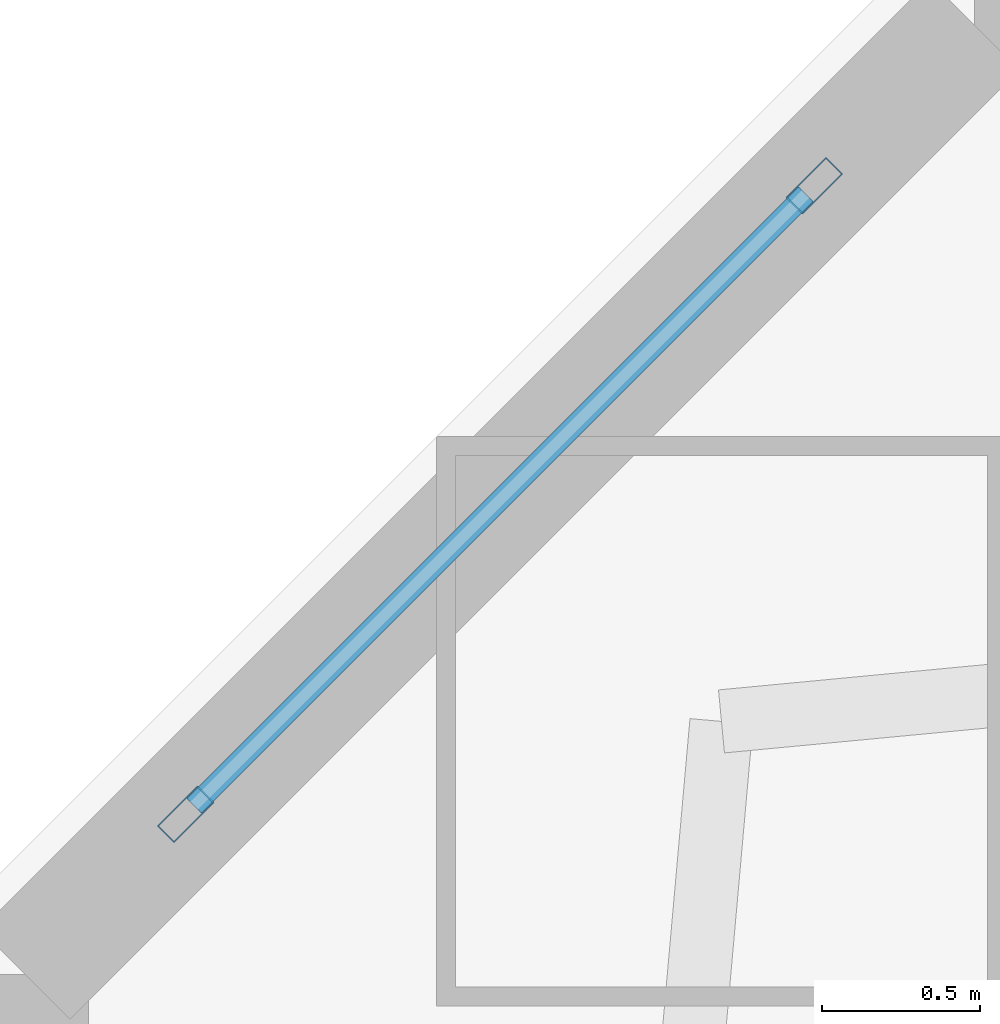
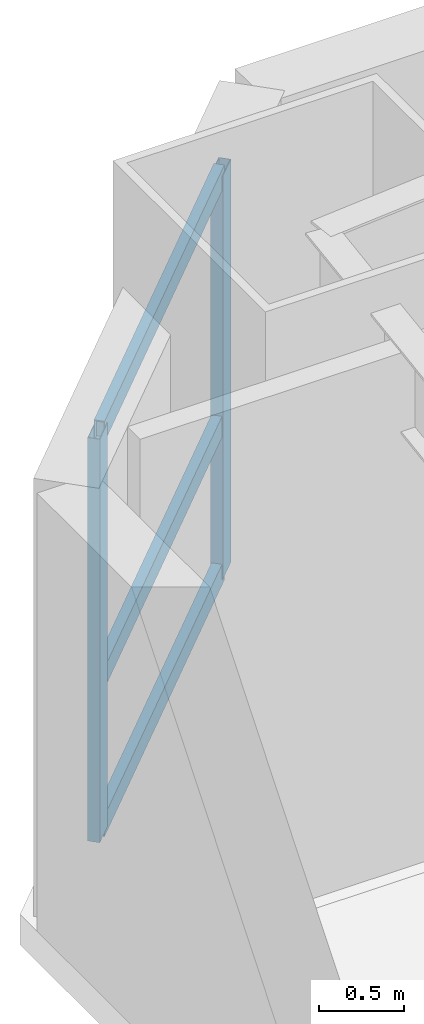
# One storey, part 4 of 24: 5 members, 1 element without a shape of its own.
"""IFC4 building model written with IfcOpenShell, lengths in metres."""

from ifc_helpers import new_model, si_unit, direction, frame, origin, origin_2d, place, context, subcontext, project, spatial, hollow_rectangle, extrude, material, layer, layer_set, material_profile, profile_set, type_object, element, aggregate, save


model = new_model("IFC4")

# Units and contexts
model_context = context("Model", 3, precision=1e-05, world=origin(), true_north=direction((0.0, 1.0)))
body_context = subcontext(model_context, "Body", "Model", "MODEL_VIEW")
ifc_project = project(units=[si_unit("LENGTHUNIT", "METRE"), si_unit("AREAUNIT", "SQUARE_METRE"), si_unit("VOLUMEUNIT", "CUBIC_METRE"), si_unit("PLANEANGLEUNIT", "RADIAN"), si_unit("MASSUNIT", "GRAM", prefix="KILO")], contexts=[model_context])

# Site, building, storey
site_placement = place(None, origin())
site = spatial("IfcSite", under=ifc_project, at=site_placement, CompositionType="ELEMENT")
building_placement = place(site_placement, origin())
building = spatial("IfcBuilding", under=site, at=building_placement, Name="Qiaolan Cultural Towers", CompositionType="ELEMENT")
storey_placement = place(building_placement, frame((0.0, 0.0, 30.0)))
storey = spatial("IfcBuildingStorey", under=building, at=storey_placement, Name="L06", CompositionType="ELEMENT", Elevation=30.0)

# Curtain wall, members
ifc_material_1 = material(Name="Unitized Anodized Aluminium Curtain Wall System", Category="aluminium")
ifc_layer = layer(ifc_material_1, 0.199951171875)
ifc_layer_set = layer_set([ifc_layer], Name="Unitized Anodized Aluminium Curtain Wall System")
curtain_wall_type = type_object("IfcCurtainWallType", Name="CWS-02", PredefinedType="NOTDEFINED", material=ifc_layer_set)
curtain_wall_placement = place(storey_placement, origin())
curtain_wall = element("IfcCurtainWall", 1, at=curtain_wall_placement, inside=storey, type_object=curtain_wall_type, Name="L06 T1 Chamfer Wind-Corner Feature Curtain Wall 1", PredefinedType="NOTDEFINED")
ifc_material_2 = material(Name="Extruded Aluminium 6063-T6", Category="aluminium")
ifc_material_profile_1 = material_profile(ifc_material_2, hollow_rectangle(XDim=0.074951171875, YDim=0.179931640625, WallThickness=0.00390625, at=origin_2d()), Name="CWM-180x75x4")
ifc_profile_set_1 = profile_set([ifc_material_profile_1], Name="Extruded Aluminium 6063-T6")
member_type_1 = type_object("IfcMemberType", Name="CWS-02-MUL", PredefinedType="MULLION", material=ifc_profile_set_1)
member_1_placement = place(storey_placement, frame((10.906494140625, 61.306396484375, 0.14990234375), z_axis=(0.0, 0.0, 1.0), x_axis=(-0.707106781187, 0.707106781187, 0.0)))
member_1 = element("IfcMember", 2, at=member_1_placement, type_object=member_type_1, Name="CW-2 mullion 1", PredefinedType="MULLION", context=body_context, shape_type="SweptSolid", body=[
    extrude(hollow_rectangle(XDim=0.074951171875, YDim=0.179931640625, WallThickness=0.00390625, at=origin_2d()), origin(), (0.0, 0.0, 1.0), 2.91015625),
])
member_2_placement = place(storey_placement, frame((12.8935546875, 63.29345703125, 0.14990234375), z_axis=(0.0, 0.0, 1.0), x_axis=(-0.707106781187, 0.707106781187, 0.0)))
member_2 = element("IfcMember", 3, at=member_2_placement, type_object=member_type_1, Name="CW-2 mullion 2", PredefinedType="MULLION", context=body_context, shape_type="SweptSolid", body=[
    extrude(hollow_rectangle(XDim=0.074951171875, YDim=0.179931640625, WallThickness=0.00390625, at=origin_2d()), origin(), (0.0, 0.0, 1.0), 2.91015625),
])
ifc_material_3 = material(Name="Extruded Aluminium 6063-T6", Category="aluminium")
ifc_material_profile_2 = material_profile(ifc_material_3, hollow_rectangle(XDim=0.06494140625, YDim=0.14990234375, WallThickness=0.00390625, at=origin_2d()), Name="CWT-150x65x4")
ifc_profile_set_2 = profile_set([ifc_material_profile_2], Name="Extruded Aluminium 6063-T6")
member_type_2 = type_object("IfcMemberType", Name="CWS-02-TRN", PredefinedType="USERDEFINED", material=ifc_profile_set_2)
member_3_placement = place(storey_placement, frame((10.93310546875, 61.3330078125, 0.1826171875), z_axis=(0.707106781187, 0.707106781187, 0.0), x_axis=(-0.707106781187, 0.707106781187, 0.0)))
member_3 = element("IfcMember", 4, at=member_3_placement, type_object=member_type_2, Name="CW-2 transom 1.1", ObjectType="TRANSOM", PredefinedType="USERDEFINED", context=body_context, shape_type="SweptSolid", body=[
    extrude(hollow_rectangle(XDim=0.06494140625, YDim=0.14990234375, WallThickness=0.00390625, at=origin_2d()), origin(), (0.0, 0.0, 1.0), 2.73486328125),
])
member_4_placement = place(storey_placement, frame((10.93310546875, 61.3330078125, 1.25), z_axis=(0.707106781187, 0.707106781187, 0.0), x_axis=(-0.707106781187, 0.707106781187, 0.0)))
member_4 = element("IfcMember", 5, at=member_4_placement, type_object=member_type_2, Name="CW-2 transom 1.2", ObjectType="TRANSOM", PredefinedType="USERDEFINED", context=body_context, shape_type="SweptSolid", body=[
    extrude(hollow_rectangle(XDim=0.06494140625, YDim=0.14990234375, WallThickness=0.00390625, at=origin_2d()), origin(), (0.0, 0.0, 1.0), 2.73486328125),
])
member_5_placement = place(storey_placement, frame((10.93310546875, 61.3330078125, 3.027587890625), z_axis=(0.707106781187, 0.707106781187, 0.0), x_axis=(-0.707106781187, 0.707106781187, 0.0)))
member_5 = element("IfcMember", 6, at=member_5_placement, type_object=member_type_2, Name="CW-2 transom 1.3", ObjectType="TRANSOM", PredefinedType="USERDEFINED", context=body_context, shape_type="SweptSolid", body=[
    extrude(hollow_rectangle(XDim=0.06494140625, YDim=0.14990234375, WallThickness=0.00390625, at=origin_2d()), origin(), (0.0, 0.0, 1.0), 2.73486328125),
])
aggregate(curtain_wall, [member_1, member_2, member_3, member_4, member_5])

save(model, "model.ifc")
